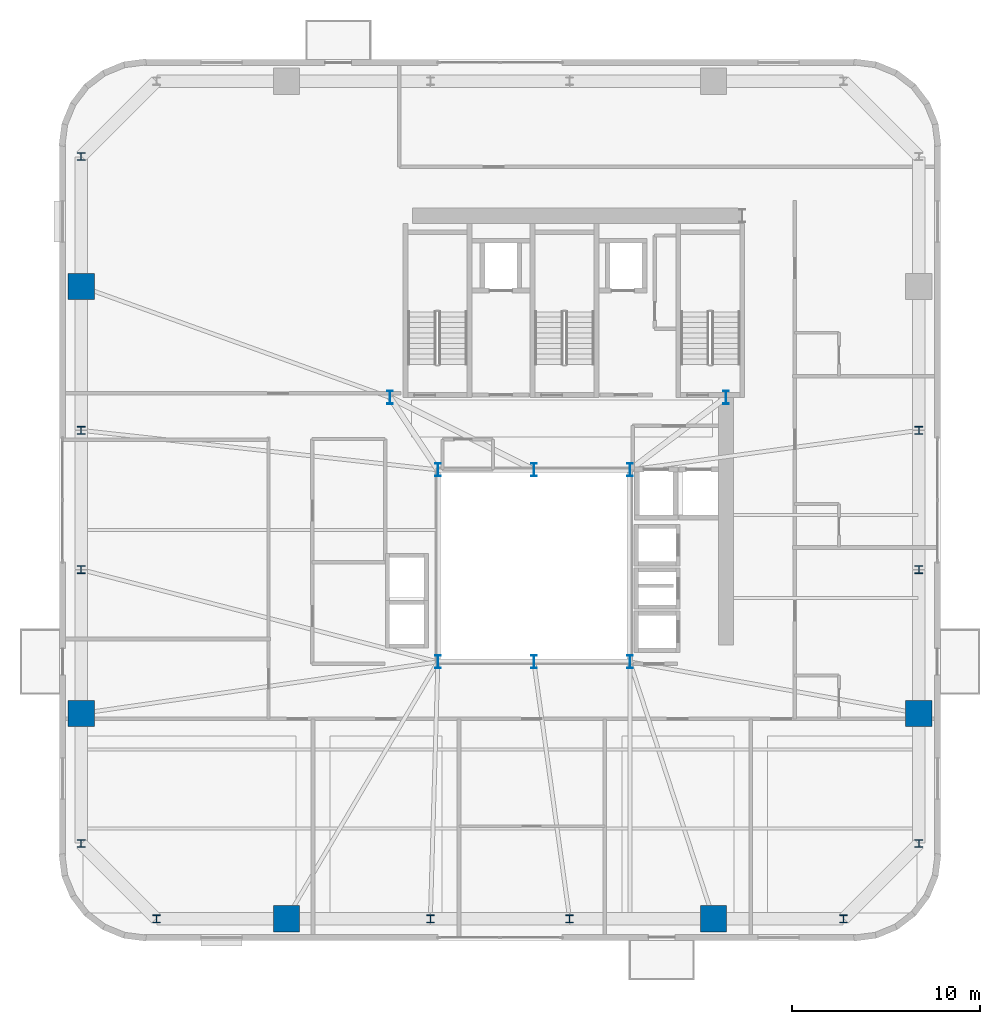
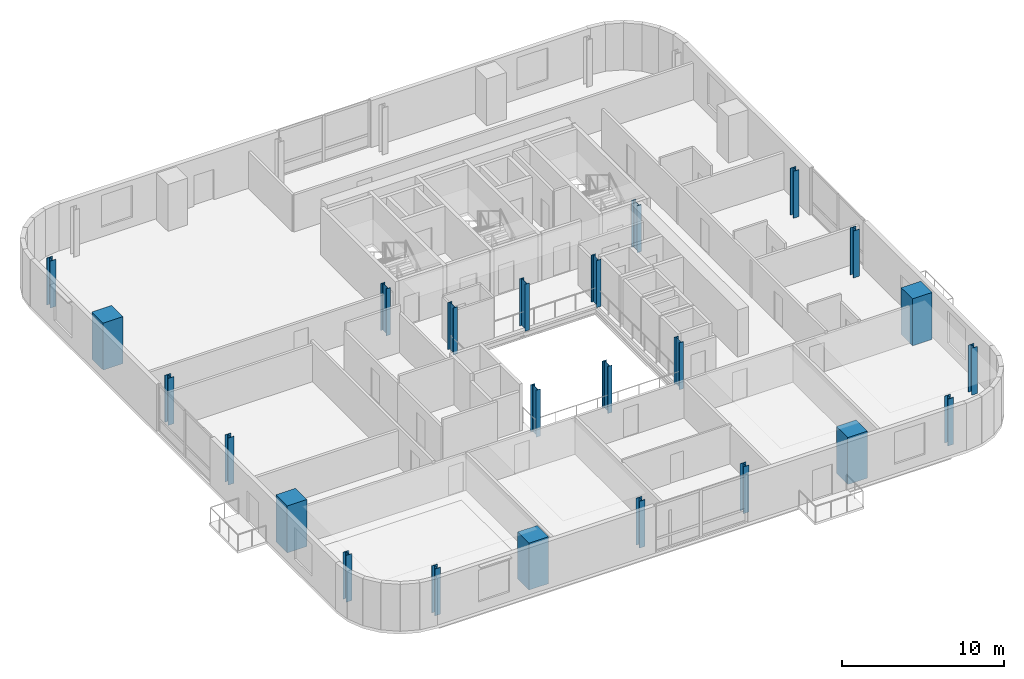
# One storey, part 1 of 16: 24 columns.
"""IFC4 building model written with IfcOpenShell, lengths in metres."""

from ifc_helpers import new_model, si_unit, direction, frame, origin, origin_2d, place, context, subcontext, project, spatial, rectangle, i_section, extrude, source, transform, mapped, material, material_profile, profile_set, type_object, element, save


model = new_model("IFC4")

# Units and contexts
model_context = context("Model", 3, precision=1e-05, world=origin(), true_north=direction((0.0, 1.0)))
body_context = subcontext(model_context, "Body", "Model", "MODEL_VIEW")
ifc_project = project(units=[si_unit("LENGTHUNIT", "METRE"), si_unit("AREAUNIT", "SQUARE_METRE"), si_unit("VOLUMEUNIT", "CUBIC_METRE"), si_unit("PLANEANGLEUNIT", "RADIAN"), si_unit("MASSUNIT", "GRAM", prefix="KILO")], contexts=[model_context])

# Site, building, storey
site_placement = place(None, origin())
site = spatial("IfcSite", under=ifc_project, at=site_placement, CompositionType="ELEMENT")
building_placement = place(site_placement, origin())
building = spatial("IfcBuilding", under=site, at=building_placement, Name="Vardaveli Station Tower", CompositionType="ELEMENT")
storey_placement = place(building_placement, frame((0.0, 0.0, 192.300048828125)))
storey = spatial("IfcBuildingStorey", under=building, at=storey_placement, Name="L49", CompositionType="ELEMENT", Elevation=192.300048828125)

# Columns
ifc_material_1 = material(Name="Structural steel S460M", Category="steel")
ifc_material_profile_1 = material_profile(ifc_material_1, i_section(OverallWidth=0.300048828125, OverallDepth=0.699951171875, WebThickness=0.01708984375, FlangeThickness=0.031982421875, FilletRadius=0.027099609375, at=origin_2d()), Name="HEB 700")
ifc_profile_set_1 = profile_set([ifc_material_profile_1], Name="Structural steel S460M")
column_type_1 = type_object("IfcColumnType", Name="COL-HEB700", PredefinedType="COLUMN", material=ifc_profile_set_1)
shared_shape_1 = source(origin(), body_context, "Body", "SweptSolid", [
    extrude(i_section(OverallWidth=0.300048828125, OverallDepth=0.699951171875, WebThickness=0.01708984375, FlangeThickness=0.031982421875, FilletRadius=0.027099609375, at=origin_2d()), origin(), (0.0, 0.0, 1.0), 3.530029296875),
])
for number, where, z_axis, x_axis, name in (
    (1, (31.199951171875, 16.60009765625, 0.0), (0.0, 0.0, 1.0), (1.0, 0.0, 0.0), "COL-L49-AC1"),
    (2, (36.300048828125, 16.60009765625, 0.0), (0.0, 0.0, 1.0), (1.0, 0.0, 0.0), "COL-L49-AC2"),
    (3, (41.39990234375, 16.60009765625, 0.0), (0.0, 0.0, 1.0), (1.0, 0.0, 0.0), "COL-L49-AC3"),
    (4, (41.39990234375, 26.800048828125, 0.0), (0.0, 0.0, 1.0), (1.0, 0.0, 0.0), "COL-L49-AC4"),
    (5, (36.300048828125, 26.800048828125, 0.0), (0.0, 0.0, 1.0), (1.0, 0.0, 0.0), "COL-L49-AC5"),
    (6, (31.199951171875, 26.800048828125, 0.0), (0.0, 0.0, 1.0), (1.0, 0.0, 0.0), "COL-L49-AC6"),
    (7, (28.64990234375, 30.64990234375, 0.0), (0.0, 0.0, 1.0), (1.0, 0.0, 0.0), "COL-L49-CC1"),
    (8, (46.5, 30.64990234375, 0.0), (0.0, 0.0, 1.0), (1.0, 0.0, 0.0), "COL-L49-CC2"),
):
    element("IfcColumn", number, at=place(storey_placement, frame(where, z_axis=z_axis, x_axis=x_axis)), inside=storey, type_object=column_type_1, Name=name, PredefinedType="COLUMN", context=body_context, shape_type="MappedRepresentation", body=[
        mapped(shared_shape_1, transform((0.0, 0.0, 0.0), scale=1.0)),
    ])
ifc_material_2 = material(Name="Concrete C50/60", Category="concrete")
ifc_material_profile_2 = material_profile(ifc_material_2, rectangle(XDim=1.39990234375, YDim=1.39990234375, at=origin_2d()), Name="MC 1400x1400")
ifc_profile_set_2 = profile_set([ifc_material_profile_2], Name="Concrete C50/60")
column_type_2 = type_object("IfcColumnType", Name="COL-MC-1400", PredefinedType="COLUMN", material=ifc_profile_set_2)
shared_shape_2 = source(origin(), body_context, "Body", "SweptSolid", [
    extrude(rectangle(XDim=1.39990234375, YDim=1.39990234375, at=origin_2d()), origin(), (0.0, 0.0, 1.0), 3.530029296875),
])
for number, where, z_axis, x_axis, name in (
    (9, (23.159912109375, 2.949951171875, 0.0), (0.0, 0.0, 1.0), (1.0, 0.0, 0.0), "COL-L49-MC1"),
    (10, (45.840087890625, 2.949951171875, 0.0), (0.0, 0.0, 1.0), (1.0, 0.0, 0.0), "COL-L49-MC2"),
    (11, (56.75, 13.860107421875, 0.0), (0.0, 0.0, 1.0), (1.0, 0.0, 0.0), "COL-L49-MC3"),
    (12, (12.25, 36.5400390625, 0.0), (0.0, 0.0, 1.0), (1.0, 0.0, 0.0), "COL-L49-MC7"),
    (13, (12.25, 13.860107421875, 0.0), (0.0, 0.0, 1.0), (1.0, 0.0, 0.0), "COL-L49-MC8"),
):
    element("IfcColumn", number, at=place(storey_placement, frame(where, z_axis=z_axis, x_axis=x_axis)), inside=storey, type_object=column_type_2, Name=name, PredefinedType="COLUMN", context=body_context, shape_type="MappedRepresentation", body=[
        mapped(shared_shape_2, transform((0.0, 0.0, 0.0), scale=1.0)),
    ])
ifc_material_profile_3 = material_profile(ifc_material_1, i_section(OverallWidth=0.408935546875, OverallDepth=0.4169921875, WebThickness=0.021240234375, FlangeThickness=0.033203125, FilletRadius=0.014892578125, at=origin_2d()), Name="HD 400x347")
ifc_profile_set_3 = profile_set([ifc_material_profile_3], Name="Structural steel S460M")
column_type_3 = type_object("IfcColumnType", Name="COL-HD347", PredefinedType="COLUMN", material=ifc_profile_set_3)
shared_shape_3 = source(origin(), body_context, "Body", "SweptSolid", [
    extrude(i_section(OverallWidth=0.408935546875, OverallDepth=0.4169921875, WebThickness=0.021240234375, FlangeThickness=0.033203125, FilletRadius=0.014892578125, at=origin_2d()), origin(), (0.0, 0.0, 1.0), 3.530029296875),
])
for number, where, z_axis, x_axis, name in (
    (14, (16.25, 2.949951171875, 0.0), (0.0, 0.0, 1.0), (1.0, 0.0, 0.0), "COL-L49-PC01"),
    (15, (30.800048828125, 2.949951171875, 0.0), (0.0, 0.0, 1.0), (1.0, 0.0, 0.0), "COL-L49-PC02"),
    (16, (38.199951171875, 2.949951171875, 0.0), (0.0, 0.0, 1.0), (1.0, 0.0, 0.0), "COL-L49-PC03"),
    (17, (52.75, 2.949951171875, 0.0), (0.0, 0.0, 1.0), (1.0, 0.0, 0.0), "COL-L49-PC04"),
    (18, (56.75, 6.949951171875, 0.0), (0.0, 0.0, 1.0), (1.0, 0.0, 0.0), "COL-L49-PC05"),
    (19, (56.75, 21.5, 0.0), (0.0, 0.0, 1.0), (1.0, 0.0, 0.0), "COL-L49-PC06"),
    (20, (56.75, 28.89990234375, 0.0), (0.0, 0.0, 1.0), (1.0, 0.0, 0.0), "COL-L49-PC07"),
    (21, (12.25, 43.449951171875, 0.0), (0.0, 0.0, 1.0), (1.0, 0.0, 0.0), "COL-L49-PC13"),
    (22, (12.25, 28.89990234375, 0.0), (0.0, 0.0, 1.0), (1.0, 0.0, 0.0), "COL-L49-PC14"),
    (23, (12.25, 21.5, 0.0), (0.0, 0.0, 1.0), (1.0, 0.0, 0.0), "COL-L49-PC15"),
    (24, (12.25, 6.949951171875, 0.0), (0.0, 0.0, 1.0), (1.0, 0.0, 0.0), "COL-L49-PC16"),
):
    element("IfcColumn", number, at=place(storey_placement, frame(where, z_axis=z_axis, x_axis=x_axis)), inside=storey, type_object=column_type_3, Name=name, PredefinedType="COLUMN", context=body_context, shape_type="MappedRepresentation", body=[
        mapped(shared_shape_3, transform((0.0, 0.0, 0.0), scale=1.0)),
    ])

save(model, "model.ifc")
